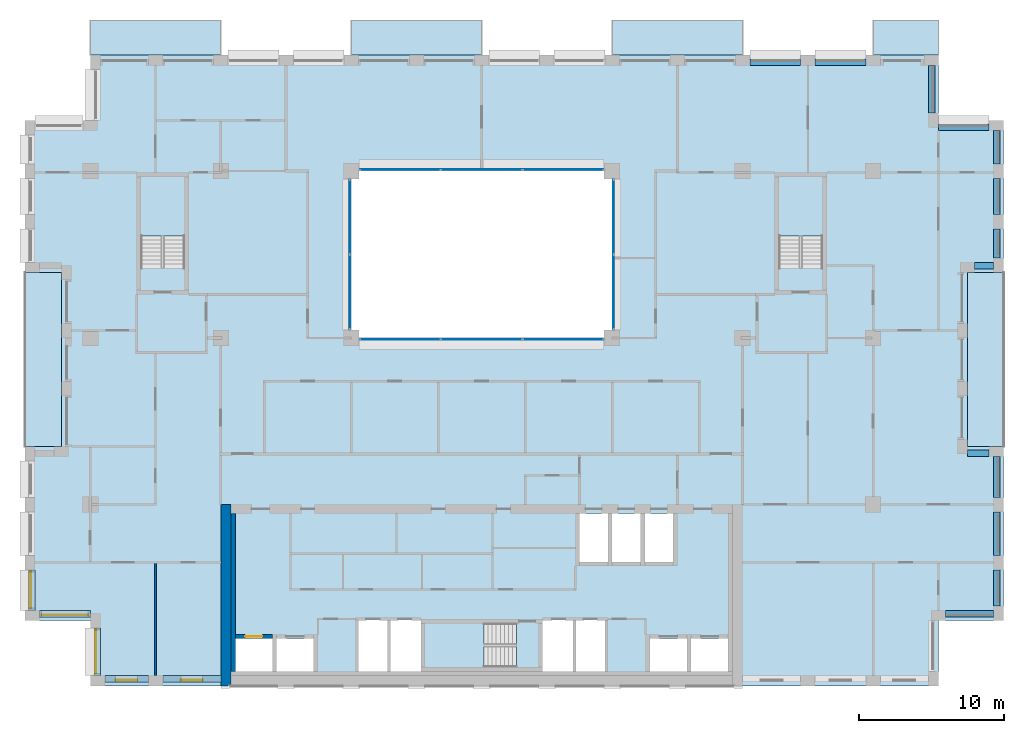
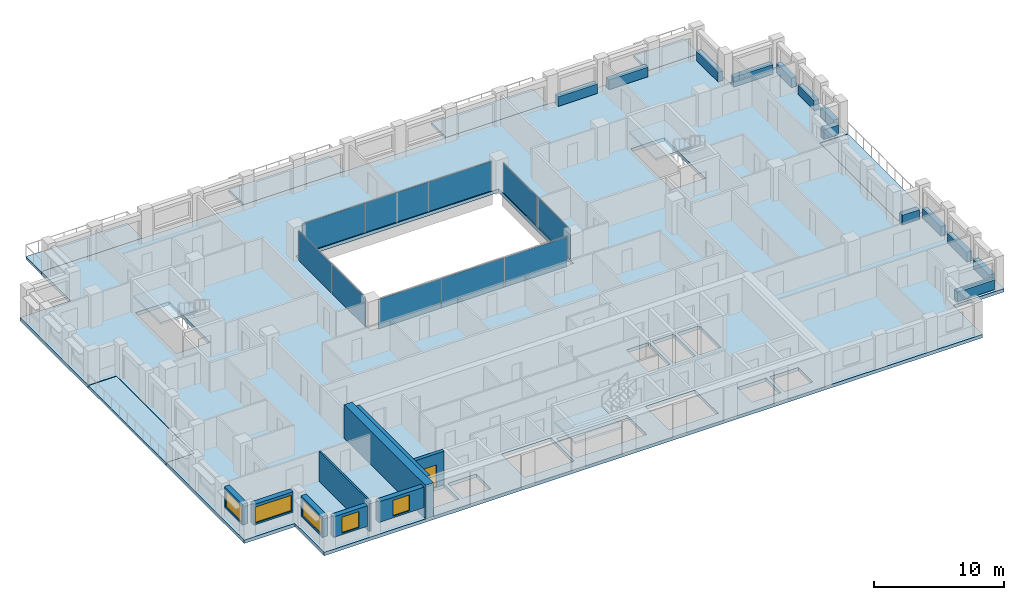
# One storey, part 7 of 16: 13 beams, 10 plates, 10 slabs, 9 walls, 5 windows, 1 door, 6 openings, 7 elements without a shape of their own.
"""IFC4 building model written with IfcOpenShell, lengths in metres."""

from ifc_helpers import new_model, si_unit, direction, frame, frame_2d, origin, origin_2d, place, context, subcontext, project, spatial, polyline, rectangle, outline, extrude, material, layer, layer_set, material_profile, profile_set, type_object, element, fill, aggregate, save


model = new_model("IFC4")

# Units and contexts
model_context = context("Model", 3, precision=1e-05, world=origin(), true_north=direction((0.0, 1.0)))
body_context = subcontext(model_context, "Body", "Model", "MODEL_VIEW")
ifc_project = project(units=[si_unit("LENGTHUNIT", "METRE"), si_unit("AREAUNIT", "SQUARE_METRE"), si_unit("VOLUMEUNIT", "CUBIC_METRE"), si_unit("PLANEANGLEUNIT", "RADIAN"), si_unit("MASSUNIT", "GRAM", prefix="KILO")], contexts=[model_context])

# Site, building, storey
site_placement = place(None, origin())
site = spatial("IfcSite", under=ifc_project, at=site_placement, CompositionType="ELEMENT")
building_placement = place(site_placement, origin())
building = spatial("IfcBuilding", under=site, at=building_placement, Name="Brigalow Station Residences", CompositionType="ELEMENT")
storey_placement = place(building_placement, frame((0.0, 0.0, 160.199951171875)))
storey = spatial("IfcBuildingStorey", under=building, at=storey_placement, Name="L46", CompositionType="ELEMENT", Elevation=160.199951171875)

# Beams
ifc_material_1 = material(Name="Concrete C50", Category="concrete")
ifc_material_profile = material_profile(ifc_material_1, rectangle(XDim=0.449951171875, YDim=0.89990234375, at=origin_2d()), Name="RC450x900")
ifc_profile_set = profile_set([ifc_material_profile], Name="Concrete C50")
beam_type = type_object("IfcBeamType", Name="SPANDREL BEAM 450x900 C50", PredefinedType="SPANDREL", material=ifc_profile_set)
beam_1_placement = place(storey_placement, frame((68.0, 4.97509765625, 0.449951171875), z_axis=(1.0, 0.0, 0.0), x_axis=(0.0, 1.0, 0.0)))
element("IfcBeam", 1, at=beam_1_placement, inside=storey, type_object=beam_type, Name="L46/spandrel/W-L46-8", PredefinedType="SPANDREL", context=body_context, shape_type="SweptSolid", body=[
    extrude(rectangle(XDim=0.449951171875, YDim=0.89990234375, at=origin_2d()), origin(), (0.0, 0.0, 1.0), 3.300048828125),
])
beam_2_placement = place(storey_placement, frame((71.52490234375, 5.5, 0.449951171875), z_axis=(0.0, 1.0, 0.0), x_axis=(-1.0, 0.0, 0.0)))
element("IfcBeam", 2, at=beam_2_placement, inside=storey, type_object=beam_type, Name="L46/spandrel/W-L46-9", PredefinedType="SPANDREL", context=body_context, shape_type="SweptSolid", body=[
    extrude(rectangle(XDim=0.449951171875, YDim=0.89990234375, at=origin_2d()), origin(), (0.0, 0.0, 1.0), 2.5),
])
beam_3_placement = place(storey_placement, frame((71.52490234375, 9.0, 0.449951171875), z_axis=(0.0, 1.0, 0.0), x_axis=(-1.0, 0.0, 0.0)))
element("IfcBeam", 3, at=beam_3_placement, inside=storey, type_object=beam_type, Name="L46/spandrel/W-L46-10", PredefinedType="SPANDREL", context=body_context, shape_type="SweptSolid", body=[
    extrude(rectangle(XDim=0.449951171875, YDim=0.89990234375, at=origin_2d()), origin(), (0.0, 0.0, 1.0), 3.0),
])
beam_4_placement = place(storey_placement, frame((71.52490234375, 13.0, 0.449951171875), z_axis=(0.0, 1.0, 0.0), x_axis=(-1.0, 0.0, 0.0)))
element("IfcBeam", 4, at=beam_4_placement, inside=storey, type_object=beam_type, Name="L46/spandrel/W-L46-11", PredefinedType="SPANDREL", context=body_context, shape_type="SweptSolid", body=[
    extrude(rectangle(XDim=0.449951171875, YDim=0.89990234375, at=origin_2d()), origin(), (0.0, 0.0, 1.0), 2.800048828125),
])
beam_5_placement = place(storey_placement, frame((71.0, 16.02490234375, 0.449951171875), z_axis=(-1.0, 0.0, 0.0), x_axis=(0.0, -1.0, 0.0)))
element("IfcBeam", 5, at=beam_5_placement, inside=storey, type_object=beam_type, Name="L46/spandrel/W-L46-12", PredefinedType="SPANDREL", context=body_context, shape_type="SweptSolid", body=[
    extrude(rectangle(XDim=0.449951171875, YDim=0.89990234375, at=origin_2d()), origin(), (0.0, 0.0, 1.0), 1.5),
])
beam_6_placement = place(storey_placement, frame((70.0, 28.97509765625, 0.449951171875), z_axis=(1.0, 0.0, 0.0), x_axis=(0.0, 1.0, 0.0)))
element("IfcBeam", 6, at=beam_6_placement, inside=storey, type_object=beam_type, Name="L46/spandrel/W-L46-16", PredefinedType="SPANDREL", context=body_context, shape_type="SweptSolid", body=[
    extrude(rectangle(XDim=0.449951171875, YDim=0.89990234375, at=origin_2d()), origin(), (0.0, 0.0, 1.0), 1.300048828125),
])
beam_7_placement = place(storey_placement, frame((71.52490234375, 29.5, 0.449951171875), z_axis=(0.0, 1.0, 0.0), x_axis=(-1.0, 0.0, 0.0)))
element("IfcBeam", 7, at=beam_7_placement, inside=storey, type_object=beam_type, Name="L46/spandrel/W-L46-17", PredefinedType="SPANDREL", context=body_context, shape_type="SweptSolid", body=[
    extrude(rectangle(XDim=0.449951171875, YDim=0.89990234375, at=origin_2d()), origin(), (0.0, 0.0, 1.0), 2.0),
])
beam_8_placement = place(storey_placement, frame((71.52490234375, 32.5, 0.449951171875), z_axis=(0.0, 1.0, 0.0), x_axis=(-1.0, 0.0, 0.0)))
element("IfcBeam", 8, at=beam_8_placement, inside=storey, type_object=beam_type, Name="L46/spandrel/W-L46-18", PredefinedType="SPANDREL", context=body_context, shape_type="SweptSolid", body=[
    extrude(rectangle(XDim=0.449951171875, YDim=0.89990234375, at=origin_2d()), origin(), (0.0, 0.0, 1.0), 2.5),
])
beam_9_placement = place(storey_placement, frame((71.52490234375, 36.0, 0.449951171875), z_axis=(0.0, 1.0, 0.0), x_axis=(-1.0, 0.0, 0.0)))
element("IfcBeam", 9, at=beam_9_placement, inside=storey, type_object=beam_type, Name="L46/spandrel/W-L46-19", PredefinedType="SPANDREL", context=body_context, shape_type="SweptSolid", body=[
    extrude(rectangle(XDim=0.449951171875, YDim=0.89990234375, at=origin_2d()), origin(), (0.0, 0.0, 1.0), 2.300048828125),
])
beam_10_placement = place(storey_placement, frame((71.0, 38.52490234375, 0.449951171875), z_axis=(-1.0, 0.0, 0.0), x_axis=(0.0, -1.0, 0.0)))
element("IfcBeam", 10, at=beam_10_placement, inside=storey, type_object=beam_type, Name="L46/spandrel/W-L46-20", PredefinedType="SPANDREL", context=body_context, shape_type="SweptSolid", body=[
    extrude(rectangle(XDim=0.449951171875, YDim=0.89990234375, at=origin_2d()), origin(), (0.0, 0.0, 1.0), 3.5),
])
beam_11_placement = place(storey_placement, frame((67.02490234375, 39.5, 0.449951171875), z_axis=(0.0, 1.0, 0.0), x_axis=(-1.0, 0.0, 0.0)))
element("IfcBeam", 11, at=beam_11_placement, inside=storey, type_object=beam_type, Name="L46/spandrel/W-L46-21", PredefinedType="SPANDREL", context=body_context, shape_type="SweptSolid", body=[
    extrude(rectangle(XDim=0.449951171875, YDim=0.89990234375, at=origin_2d()), origin(), (0.0, 0.0, 1.0), 3.300048828125),
])
for number, where, z_axis, x_axis, name in (
    (12, (62.5, 43.02490234375, 0.449951171875), (-1.0, 0.0, 0.0), (0.0, -1.0, 0.0), "L46/spandrel/W-L46-23"),
    (13, (58.0, 43.02490234375, 0.449951171875), (-1.0, 0.0, 0.0), (0.0, -1.0, 0.0), "L46/spandrel/W-L46-24"),
):
    element("IfcBeam", number, at=place(storey_placement, frame(where, z_axis=z_axis, x_axis=x_axis)), inside=storey, type_object=beam_type, Name=name, PredefinedType="SPANDREL", context=body_context, shape_type="SweptSolid", body=[
        extrude(rectangle(XDim=0.449951171875, YDim=0.89990234375, at=origin_2d()), origin(), (0.0, 0.0, 1.0), 3.5),
    ])

# Curtain wall, plates
ifc_material_2 = material(Name="Aluminium", Category="aluminium")
ifc_layer_1 = layer(ifc_material_2, 0.14990234375)
ifc_layer_set_1 = layer_set([ifc_layer_1], Name="ATRIUM FIRE-RATED GLAZING CURTAIN WALL")
curtain_wall_type = type_object("IfcCurtainWallType", Name="ATRIUM FIRE-RATED GLAZING CURTAIN WALL", PredefinedType="NOTDEFINED", material=ifc_layer_set_1)
curtain_wall_1_placement = place(storey_placement, origin())
curtain_wall_1 = element("IfcCurtainWall", 14, at=curtain_wall_1_placement, inside=storey, type_object=curtain_wall_type, Name="L46/cw/atrium-S", PredefinedType="NOTDEFINED")
ifc_material_3 = material(Name="Fire-resisting laminated glazing, FRL -/60/-", Category="glass")
ifc_layer_2 = layer(ifc_material_3, 0.031982421875)
ifc_layer_set_2 = layer_set([ifc_layer_2], Name="ATRIUM FIRE-RATED GLAZING PANEL 32")
plate_type = type_object("IfcPlateType", Name="ATRIUM FIRE-RATED GLAZING PANEL 32", PredefinedType="CURTAIN_PANEL", material=ifc_layer_set_2)
plate_1_placement = place(storey_placement, frame((30.381591796875, 23.89990234375, 0.0), z_axis=(0.0, 0.0, 1.0), x_axis=(1.0, 0.0, 0.0)))
plate_1 = element("IfcPlate", 15, at=plate_1_placement, type_object=plate_type, Name="L46/cw/atrium-S/P00-00", PredefinedType="CURTAIN_PANEL", context=body_context, shape_type="SweptSolid", body=[
    extrude(rectangle(XDim=5.543212890625, YDim=0.031982421875, at=origin_2d()), origin(), (0.0, 0.0, 1.0), 2.77001953125),
])
plate_2_placement = place(storey_placement, frame((36.0, 23.89990234375, 0.0), z_axis=(0.0, 0.0, 1.0), x_axis=(1.0, 0.0, 0.0)))
plate_2 = element("IfcPlate", 16, at=plate_2_placement, type_object=plate_type, Name="L46/cw/atrium-S/P01-00", PredefinedType="CURTAIN_PANEL", context=body_context, shape_type="SweptSolid", body=[
    extrude(rectangle(XDim=5.5732421875, YDim=0.031982421875, at=origin_2d()), origin(), (0.0, 0.0, 1.0), 2.77001953125),
])
plate_3_placement = place(storey_placement, frame((41.618408203125, 23.89990234375, 0.0), z_axis=(0.0, 0.0, 1.0), x_axis=(1.0, 0.0, 0.0)))
plate_3 = element("IfcPlate", 17, at=plate_3_placement, type_object=plate_type, Name="L46/cw/atrium-S/P02-00", PredefinedType="CURTAIN_PANEL", context=body_context, shape_type="SweptSolid", body=[
    extrude(rectangle(XDim=5.543212890625, YDim=0.031982421875, at=origin_2d()), origin(), (0.0, 0.0, 1.0), 2.77001953125),
])
aggregate(curtain_wall_1, [plate_1, plate_2, plate_3])

curtain_wall_2_placement = place(storey_placement, origin())
curtain_wall_2 = element("IfcCurtainWall", 18, at=curtain_wall_2_placement, inside=storey, type_object=curtain_wall_type, Name="L46/cw/atrium-E", PredefinedType="NOTDEFINED")
plate_4_placement = place(storey_placement, frame((45.10009765625, 27.1650390625, 0.0), z_axis=(0.0, 0.0, 1.0), x_axis=(0.0, 1.0, 0.0)))
plate_4 = element("IfcPlate", 19, at=plate_4_placement, type_object=plate_type, Name="L46/cw/atrium-E/P00-00", PredefinedType="CURTAIN_PANEL", context=body_context, shape_type="SweptSolid", body=[
    extrude(rectangle(XDim=5.110107421875, YDim=0.031982421875, at=origin_2d()), origin(), (0.0, 0.0, 1.0), 2.77001953125),
])
plate_5_placement = place(storey_placement, frame((45.10009765625, 32.3349609375, 0.0), z_axis=(0.0, 0.0, 1.0), x_axis=(0.0, 1.0, 0.0)))
plate_5 = element("IfcPlate", 20, at=plate_5_placement, type_object=plate_type, Name="L46/cw/atrium-E/P01-00", PredefinedType="CURTAIN_PANEL", context=body_context, shape_type="SweptSolid", body=[
    extrude(rectangle(XDim=5.110107421875, YDim=0.031982421875, at=origin_2d()), origin(), (0.0, 0.0, 1.0), 2.77001953125),
])
aggregate(curtain_wall_2, [plate_4, plate_5])

curtain_wall_3_placement = place(storey_placement, origin())
curtain_wall_3 = element("IfcCurtainWall", 21, at=curtain_wall_3_placement, inside=storey, type_object=curtain_wall_type, Name="L46/cw/atrium-N", PredefinedType="NOTDEFINED")
plate_6_placement = place(storey_placement, frame((41.618408203125, 35.60009765625, 0.0), z_axis=(0.0, 0.0, 1.0), x_axis=(-1.0, 0.0, 0.0)))
plate_6 = element("IfcPlate", 22, at=plate_6_placement, type_object=plate_type, Name="L46/cw/atrium-N/P00-00", PredefinedType="CURTAIN_PANEL", context=body_context, shape_type="SweptSolid", body=[
    extrude(rectangle(XDim=5.543212890625, YDim=0.031982421875, at=origin_2d()), origin(), (0.0, 0.0, 1.0), 2.77001953125),
])
plate_7_placement = place(storey_placement, frame((36.0, 35.60009765625, 0.0), z_axis=(0.0, 0.0, 1.0), x_axis=(-1.0, 0.0, 0.0)))
plate_7 = element("IfcPlate", 23, at=plate_7_placement, type_object=plate_type, Name="L46/cw/atrium-N/P01-00", PredefinedType="CURTAIN_PANEL", context=body_context, shape_type="SweptSolid", body=[
    extrude(rectangle(XDim=5.5732421875, YDim=0.031982421875, at=origin_2d()), origin(), (0.0, 0.0, 1.0), 2.77001953125),
])
plate_8_placement = place(storey_placement, frame((30.381591796875, 35.60009765625, 0.0), z_axis=(0.0, 0.0, 1.0), x_axis=(-1.0, 0.0, 0.0)))
plate_8 = element("IfcPlate", 24, at=plate_8_placement, type_object=plate_type, Name="L46/cw/atrium-N/P02-00", PredefinedType="CURTAIN_PANEL", context=body_context, shape_type="SweptSolid", body=[
    extrude(rectangle(XDim=5.543212890625, YDim=0.031982421875, at=origin_2d()), origin(), (0.0, 0.0, 1.0), 2.77001953125),
])
aggregate(curtain_wall_3, [plate_6, plate_7, plate_8])

curtain_wall_4_placement = place(storey_placement, origin())
curtain_wall_4 = element("IfcCurtainWall", 25, at=curtain_wall_4_placement, inside=storey, type_object=curtain_wall_type, Name="L46/cw/atrium-W", PredefinedType="NOTDEFINED")
plate_9_placement = place(storey_placement, frame((26.89990234375, 32.3349609375, 0.0), z_axis=(0.0, 0.0, 1.0), x_axis=(0.0, -1.0, 0.0)))
plate_9 = element("IfcPlate", 26, at=plate_9_placement, type_object=plate_type, Name="L46/cw/atrium-W/P00-00", PredefinedType="CURTAIN_PANEL", context=body_context, shape_type="SweptSolid", body=[
    extrude(rectangle(XDim=5.110107421875, YDim=0.031982421875, at=origin_2d()), origin(), (0.0, 0.0, 1.0), 2.77001953125),
])
plate_10_placement = place(storey_placement, frame((26.89990234375, 27.1650390625, 0.0), z_axis=(0.0, 0.0, 1.0), x_axis=(0.0, -1.0, 0.0)))
plate_10 = element("IfcPlate", 27, at=plate_10_placement, type_object=plate_type, Name="L46/cw/atrium-W/P01-00", PredefinedType="CURTAIN_PANEL", context=body_context, shape_type="SweptSolid", body=[
    extrude(rectangle(XDim=5.110107421875, YDim=0.031982421875, at=origin_2d()), origin(), (0.0, 0.0, 1.0), 2.77001953125),
])
aggregate(curtain_wall_4, [plate_9, plate_10])

# Slabs
ifc_material_4 = material(Name="Concrete C50 precast", Category="concrete")
ifc_layer_3 = layer(ifc_material_4, 0.25)
ifc_layer_set_3 = layer_set([ifc_layer_3], Name="BALCONY SLAB 250")
slab_type_1 = type_object("IfcSlabType", Name="BALCONY SLAB 250", PredefinedType="USERDEFINED", material=ifc_layer_set_3)
slab_1_placement = place(storey_placement, frame((0.0, 0.0, -0.2900390625)))
element("IfcSlab", 28, at=slab_1_placement, inside=storey, type_object=slab_type_1, Name="L46/balcony/1", ObjectType="BALCONY", PredefinedType="USERDEFINED", context=body_context, shape_type="SweptSolid", body=[
    extrude(outline(polyline([(69.5, 16.5), (72.0, 16.5), (72.0, 28.5), (69.5, 28.5), (69.5, 16.5)])), origin(), (0.0, 0.0, 1.0), 0.25),
])
slab_2_placement = place(storey_placement, frame((0.0, 0.0, -0.2900390625)))
element("IfcSlab", 29, at=slab_2_placement, inside=storey, type_object=slab_type_1, Name="L46/balcony/2", ObjectType="BALCONY", PredefinedType="USERDEFINED", context=body_context, shape_type="SweptSolid", body=[
    extrude(outline(polyline([(67.5, 43.5), (67.5, 45.89990234375), (63.0, 45.89990234375), (63.0, 43.5), (67.5, 43.5)])), origin(), (0.0, 0.0, 1.0), 0.25),
])
slab_3_placement = place(storey_placement, frame((0.0, 0.0, -0.2900390625)))
element("IfcSlab", 30, at=slab_3_placement, inside=storey, type_object=slab_type_1, Name="L46/balcony/3", ObjectType="BALCONY", PredefinedType="USERDEFINED", context=body_context, shape_type="SweptSolid", body=[
    extrude(outline(polyline([(54.0, 43.5), (54.0, 45.89990234375), (45.0, 45.89990234375), (45.0, 43.5), (54.0, 43.5)])), origin(), (0.0, 0.0, 1.0), 0.25),
])
slab_4_placement = place(storey_placement, frame((0.0, 0.0, -0.2900390625)))
element("IfcSlab", 31, at=slab_4_placement, inside=storey, type_object=slab_type_1, Name="L46/balcony/4", ObjectType="BALCONY", PredefinedType="USERDEFINED", context=body_context, shape_type="SweptSolid", body=[
    extrude(outline(polyline([(36.0, 43.5), (36.0, 45.89990234375), (27.0, 45.89990234375), (27.0, 43.5), (36.0, 43.5)])), origin(), (0.0, 0.0, 1.0), 0.25),
])
slab_5_placement = place(storey_placement, frame((0.0, 0.0, -0.2900390625)))
element("IfcSlab", 32, at=slab_5_placement, inside=storey, type_object=slab_type_1, Name="L46/balcony/5", ObjectType="BALCONY", PredefinedType="USERDEFINED", context=body_context, shape_type="SweptSolid", body=[
    extrude(outline(polyline([(18.0, 43.5), (18.0, 45.89990234375), (9.0, 45.89990234375), (9.0, 43.5), (18.0, 43.5)])), origin(), (0.0, 0.0, 1.0), 0.25),
])
slab_6_placement = place(storey_placement, frame((0.0, 0.0, -0.2900390625)))
element("IfcSlab", 33, at=slab_6_placement, inside=storey, type_object=slab_type_1, Name="L46/balcony/6", ObjectType="BALCONY", PredefinedType="USERDEFINED", context=body_context, shape_type="SweptSolid", body=[
    extrude(outline(polyline([(7.0, 28.5), (4.5, 28.5), (4.5, 16.5), (7.0, 16.5), (7.0, 28.5)])), origin(), (0.0, 0.0, 1.0), 0.25),
])
ifc_material_5 = material(Name="Concrete C50", Category="concrete")
ifc_layer_4 = layer(ifc_material_5, 0.320068359375)
ifc_layer_set_4 = layer_set([ifc_layer_4], Name="POST-TENSIONED FLAT PLATE 320 C50")
slab_type_2 = type_object("IfcSlabType", Name="POST-TENSIONED FLAT PLATE 320 C50", PredefinedType="FLOOR", material=ifc_layer_set_4)
slab_7_placement = place(storey_placement, frame((0.0, 0.0, -0.320068359375)))
element("IfcSlab", 34, at=slab_7_placement, inside=storey, type_object=slab_type_2, Name="FLOOR SLAB L46", PredefinedType="FLOOR", context=body_context, shape_type="SweptSolid", body=[
    extrude(outline(polyline([(9.0, 0.0), (67.5, 0.0), (67.5, 4.5), (72.0, 4.5), (72.0, 16.5), (69.5, 16.5), (69.5, 28.5), (72.0, 28.5), (72.0, 39.0), (67.5, 39.0), (67.5, 43.5), (9.0, 43.5), (9.0, 39.0), (4.5, 39.0), (4.5, 28.5), (7.0, 28.5), (7.0, 16.5), (4.5, 16.5), (4.5, 4.5), (9.0, 4.5), (9.0, 0.0)]), holes=[polyline([(12.5048828125, 35.094970703125), (15.4951171875, 35.094970703125), (15.4951171875, 28.804931640625), (12.5048828125, 28.804931640625), (12.5048828125, 35.094970703125)]), polyline([(19.0, 1.0), (19.0, 3.25), (21.550048828125, 3.25), (21.550048828125, 1.0), (19.0, 1.0)]), polyline([(21.85009765625, 3.25), (24.39990234375, 3.25), (24.39990234375, 1.0), (21.85009765625, 1.0), (21.85009765625, 3.25)]), polyline([(27.0, 35.5), (45.0, 35.5), (45.0, 24.0), (27.0, 24.0), (27.0, 35.5)]), polyline([(29.60009765625, 4.60009765625), (31.800048828125, 4.60009765625), (31.800048828125, 1.0), (29.60009765625, 1.0), (27.39990234375, 1.0), (27.39990234375, 4.60009765625), (29.60009765625, 4.60009765625)]), polyline([(32.10498046875, 4.294921875), (38.39501953125, 4.294921875), (38.39501953125, 1.304931640625), (32.10498046875, 1.304931640625), (32.10498046875, 4.294921875)]), polyline([(40.199951171875, 4.60009765625), (42.39990234375, 4.60009765625), (44.60009765625, 4.60009765625), (44.60009765625, 1.0), (42.39990234375, 1.0), (40.199951171875, 1.0), (40.199951171875, 4.60009765625)]), polyline([(42.75, 11.89990234375), (44.699951171875, 11.89990234375), (44.699951171875, 8.550048828125), (42.75, 8.550048828125), (42.75, 11.89990234375)]), polyline([(45.0, 11.89990234375), (46.949951171875, 11.89990234375), (46.949951171875, 8.550048828125), (45.0, 8.550048828125), (45.0, 11.89990234375)]), polyline([(47.25, 11.89990234375), (49.199951171875, 11.89990234375), (49.199951171875, 8.550048828125), (47.25, 8.550048828125), (47.25, 11.89990234375)]), polyline([(47.60009765625, 3.25), (50.14990234375, 3.25), (50.14990234375, 1.0), (47.60009765625, 1.0), (47.60009765625, 3.25)]), polyline([(50.449951171875, 3.25), (53.0, 3.25), (53.0, 1.0), (50.449951171875, 1.0), (50.449951171875, 3.25)]), polyline([(56.5048828125, 35.094970703125), (59.4951171875, 35.094970703125), (59.4951171875, 28.804931640625), (56.5048828125, 28.804931640625), (56.5048828125, 35.094970703125)])]), origin(), (0.0, 0.0, 1.0), 0.320068359375),
])

# Stair, slab
ifc_material_6 = material(Name="Concrete C50", Category="concrete")
stair_type = type_object("IfcStairType", Name="EXIT STAIR 1400 2 FLIGHT", PredefinedType="HALF_TURN_STAIR", material=ifc_material_6)
stair_1_placement = place(storey_placement, origin())
stair_1 = element("IfcStair", 35, at=stair_1_placement, inside=storey, type_object=stair_type, Name="EXIT STAIR S2 L46", PredefinedType="HALF_TURN_STAIR")
ifc_material_7 = material(Name="Concrete C50", Category="concrete")
ifc_layer_5 = layer(ifc_material_7, 0.199951171875)
ifc_layer_set_5 = layer_set([ifc_layer_5], Name="STAIR LANDING 200")
slab_type_3 = type_object("IfcSlabType", Name="STAIR LANDING 200", PredefinedType="LANDING", material=ifc_layer_set_5)
slab_8_placement = place(storey_placement, frame((0.0, 0.0, 1.375)))
slab_8 = element("IfcSlab", 36, at=slab_8_placement, type_object=slab_type_3, Name="ST-2 landing 1", PredefinedType="LANDING", context=body_context, shape_type="SweptSolid", body=[
    extrude(outline(polyline([(32.0, 1.199951171875), (36.159912109375, 1.199951171875), (36.159912109375, 4.39990234375), (32.0, 4.39990234375), (32.0, 1.199951171875)])), origin(), (0.0, 0.0, 1.0), 0.199951171875),
])
aggregate(stair_1, [slab_8])

stair_2_placement = place(storey_placement, origin())
stair_2 = element("IfcStair", 37, at=stair_2_placement, inside=storey, type_object=stair_type, Name="EXIT STAIR S1 L46", PredefinedType="HALF_TURN_STAIR")
slab_9_placement = place(storey_placement, frame((0.0, 0.0, 1.375)))
slab_9 = element("IfcSlab", 38, at=slab_9_placement, type_object=slab_type_3, Name="ST-1 landing 1", PredefinedType="LANDING", context=body_context, shape_type="SweptSolid", body=[
    extrude(outline(polyline([(12.39990234375, 31.0400390625), (15.60009765625, 31.0400390625), (15.60009765625, 35.199951171875), (12.39990234375, 35.199951171875), (12.39990234375, 31.0400390625)])), origin(), (0.0, 0.0, 1.0), 0.199951171875),
])
aggregate(stair_2, [slab_9])

stair_3_placement = place(storey_placement, origin())
stair_3 = element("IfcStair", 39, at=stair_3_placement, inside=storey, type_object=stair_type, Name="EXIT STAIR S3 L46", PredefinedType="HALF_TURN_STAIR")
slab_10_placement = place(storey_placement, frame((0.0, 0.0, 1.375)))
slab_10 = element("IfcSlab", 40, at=slab_10_placement, type_object=slab_type_3, Name="ST-3 landing 1", PredefinedType="LANDING", context=body_context, shape_type="SweptSolid", body=[
    extrude(outline(polyline([(56.39990234375, 31.0400390625), (59.60009765625, 31.0400390625), (59.60009765625, 35.199951171875), (56.39990234375, 35.199951171875), (56.39990234375, 31.0400390625)])), origin(), (0.0, 0.0, 1.0), 0.199951171875),
])
aggregate(stair_3, [slab_10])

# Wall, opening, window
ifc_material_8 = material(Name="Clay brick masonry", Category="masonry")
ifc_layer_6 = layer(ifc_material_8, 0.449951171875)
ifc_layer_set_6 = layer_set([ifc_layer_6], Name="BRICK INFILL WALL 450")
wall_type_1 = type_object("IfcWallType", Name="BRICK INFILL WALL 450", PredefinedType="SOLIDWALL", material=ifc_layer_set_6)
wall_1_placement = place(storey_placement, frame((10.0, 0.47509765625, 0.900146484375), z_axis=(0.0, 0.0, 1.0), x_axis=(1.0, 0.0, 0.0)))
wall_1 = element("IfcWall", 41, at=wall_1_placement, inside=storey, type_object=wall_type_1, Name="L46/ewall/W-L46-1", PredefinedType="SOLIDWALL", context=body_context, shape_type="SweptSolid", body=[
    extrude(rectangle(XDim=3.0, YDim=0.449951171875, at=frame_2d((1.5, 0.0))), origin(), (0.0, 0.0, 1.0), 1.929931640625),
])
opening_1_placement = place(wall_1_placement, frame((0.75, 0.0, 0.14990234375)))
opening_1 = element("IfcOpeningElement", 42, at=opening_1_placement, cuts=wall_1, Name="Opening WT-1", PredefinedType="OPENING", context=body_context, shape_type="SweptSolid", body=[
    extrude(rectangle(XDim=1.5, YDim=1.5, at=frame_2d((0.75, 0.75))), frame((0.0, 0.23486328125, 0.0), z_axis=(0.0, -1.0, 0.0), x_axis=(1.0, 0.0, 0.0)), (0.0, 0.0, 1.0), 0.469970703125),
])
ifc_material_9 = material(Name="Anodised aluminium frame with double glazing", Category="aluminium")
window_type_1 = type_object("IfcWindowType", Name="WINDOW 1500x1500", PartitioningType="SINGLE_PANEL", PredefinedType="WINDOW", material=ifc_material_9)
window_1_placement = place(opening_1_placement, origin())
window_1 = element("IfcWindow", 43, at=window_1_placement, inside=storey, type_object=window_type_1, Name="L46/window/W-L46-1", OverallHeight=1.5, OverallWidth=1.5, PartitioningType="SINGLE_PANEL", PredefinedType="WINDOW", context=body_context, shape_type="SweptSolid", body=[
    extrude(rectangle(XDim=1.5, YDim=1.5, at=frame_2d((0.75, 0.75))), frame((0.0, -0.06494140625, 0.0), z_axis=(0.0, -1.0, 0.0), x_axis=(1.0, 0.0, 0.0)), (0.0, 0.0, 1.0), 0.06005859375),
])
fill(opening_1, window_1)

wall_2_placement = place(storey_placement, frame((14.0, 0.47509765625, 0.900146484375), z_axis=(0.0, 0.0, 1.0), x_axis=(1.0, 0.0, 0.0)))
wall_2 = element("IfcWall", 44, at=wall_2_placement, inside=storey, type_object=wall_type_1, Name="L46/ewall/W-L46-2", PredefinedType="SOLIDWALL", context=body_context, shape_type="SweptSolid", body=[
    extrude(rectangle(XDim=4.0, YDim=0.449951171875, at=frame_2d((2.0, 0.0))), origin(), (0.0, 0.0, 1.0), 1.929931640625),
])
opening_2_placement = place(wall_2_placement, frame((1.25, 0.0, 0.14990234375)))
opening_2 = element("IfcOpeningElement", 45, at=opening_2_placement, cuts=wall_2, Name="Opening WT-1", PredefinedType="OPENING", context=body_context, shape_type="SweptSolid", body=[
    extrude(rectangle(XDim=1.5, YDim=1.5, at=frame_2d((0.75, 0.75))), frame((0.0, 0.23486328125, 0.0), z_axis=(0.0, -1.0, 0.0), x_axis=(1.0, 0.0, 0.0)), (0.0, 0.0, 1.0), 0.469970703125),
])
window_2_placement = place(opening_2_placement, origin())
window_2 = element("IfcWindow", 46, at=window_2_placement, inside=storey, type_object=window_type_1, Name="L46/window/W-L46-2", OverallHeight=1.5, OverallWidth=1.5, PartitioningType="SINGLE_PANEL", PredefinedType="WINDOW", context=body_context, shape_type="SweptSolid", body=[
    extrude(rectangle(XDim=1.5, YDim=1.5, at=frame_2d((0.75, 0.75))), frame((0.0, -0.06494140625, 0.0), z_axis=(0.0, -1.0, 0.0), x_axis=(1.0, 0.0, 0.0)), (0.0, 0.0, 1.0), 0.06005859375),
])
fill(opening_2, window_2)

wall_3_placement = place(storey_placement, frame((4.97509765625, 8.0, 0.900146484375), z_axis=(0.0, 0.0, 1.0), x_axis=(0.0, -1.0, 0.0)))
wall_3 = element("IfcWall", 47, at=wall_3_placement, inside=storey, type_object=wall_type_1, Name="L46/ewall/W-L46-47", PredefinedType="SOLIDWALL", context=body_context, shape_type="SweptSolid", body=[
    extrude(rectangle(XDim=2.800048828125, YDim=0.449951171875, at=frame_2d((1.39990234375, 0.0))), origin(), (0.0, 0.0, 1.0), 1.929931640625),
])
opening_3_placement = place(wall_3_placement, frame((0.14990234375, 0.0, 0.14990234375)))
opening_3 = element("IfcOpeningElement", 48, at=opening_3_placement, cuts=wall_3, Name="Opening WT-5", PredefinedType="OPENING", context=body_context, shape_type="SweptSolid", body=[
    extrude(rectangle(XDim=2.5, YDim=1.5, at=frame_2d((1.25, 0.75))), frame((0.0, 0.23486328125, 0.0), z_axis=(0.0, -1.0, 0.0), x_axis=(1.0, 0.0, 0.0)), (0.0, 0.0, 1.0), 0.469970703125),
])
ifc_material_10 = material(Name="Anodised aluminium frame with double glazing", Category="aluminium")
window_type_2 = type_object("IfcWindowType", Name="WINDOW 2500x1500", PartitioningType="SINGLE_PANEL", PredefinedType="WINDOW", material=ifc_material_10)
window_3_placement = place(opening_3_placement, origin())
window_3 = element("IfcWindow", 49, at=window_3_placement, inside=storey, type_object=window_type_2, Name="L46/window/W-L46-47", OverallHeight=1.5, OverallWidth=2.5, PartitioningType="SINGLE_PANEL", PredefinedType="WINDOW", context=body_context, shape_type="SweptSolid", body=[
    extrude(rectangle(XDim=2.5, YDim=1.5, at=frame_2d((1.25, 0.75))), frame((0.0, -0.06494140625, 0.0), z_axis=(0.0, -1.0, 0.0), x_axis=(1.0, 0.0, 0.0)), (0.0, 0.0, 1.0), 0.06005859375),
])
fill(opening_3, window_3)

wall_4_placement = place(storey_placement, frame((5.5, 4.97509765625, 0.900146484375), z_axis=(0.0, 0.0, 1.0), x_axis=(1.0, 0.0, 0.0)))
wall_4 = element("IfcWall", 50, at=wall_4_placement, inside=storey, type_object=wall_type_1, Name="L46/ewall/W-L46-48", PredefinedType="SOLIDWALL", context=body_context, shape_type="SweptSolid", body=[
    extrude(rectangle(XDim=3.5, YDim=0.449951171875, at=frame_2d((1.75, 0.0))), origin(), (0.0, 0.0, 1.0), 1.929931640625),
])
opening_4_placement = place(wall_4_placement, frame((0.14990234375, 0.0, 0.14990234375)))
opening_4 = element("IfcOpeningElement", 51, at=opening_4_placement, cuts=wall_4, Name="Opening WT-9", PredefinedType="OPENING", context=body_context, shape_type="SweptSolid", body=[
    extrude(rectangle(XDim=3.199951171875, YDim=1.5, at=frame_2d((1.60009765625, 0.75))), frame((0.0, 0.23486328125, 0.0), z_axis=(0.0, -1.0, 0.0), x_axis=(1.0, 0.0, 0.0)), (0.0, 0.0, 1.0), 0.469970703125),
])
ifc_material_11 = material(Name="Anodised aluminium frame with double glazing", Category="aluminium")
window_type_3 = type_object("IfcWindowType", Name="WINDOW 3200x1500", PartitioningType="SINGLE_PANEL", PredefinedType="WINDOW", material=ifc_material_11)
window_4_placement = place(opening_4_placement, origin())
window_4 = element("IfcWindow", 52, at=window_4_placement, inside=storey, type_object=window_type_3, Name="L46/window/W-L46-48", OverallHeight=1.5, OverallWidth=3.199951171875, PartitioningType="SINGLE_PANEL", PredefinedType="WINDOW", context=body_context, shape_type="SweptSolid", body=[
    extrude(rectangle(XDim=3.199951171875, YDim=1.5, at=frame_2d((1.60009765625, 0.75))), frame((0.0, -0.06494140625, 0.0), z_axis=(0.0, -1.0, 0.0), x_axis=(1.0, 0.0, 0.0)), (0.0, 0.0, 1.0), 0.06005859375),
])
fill(opening_4, window_4)

wall_5_placement = place(storey_placement, frame((9.47509765625, 4.0, 0.900146484375), z_axis=(0.0, 0.0, 1.0), x_axis=(0.0, -1.0, 0.0)))
wall_5 = element("IfcWall", 53, at=wall_5_placement, inside=storey, type_object=wall_type_1, Name="L46/ewall/W-L46-49", PredefinedType="SOLIDWALL", context=body_context, shape_type="SweptSolid", body=[
    extrude(rectangle(XDim=3.300048828125, YDim=0.449951171875, at=frame_2d((1.64990234375, 0.0))), origin(), (0.0, 0.0, 1.0), 1.929931640625),
])
opening_5_placement = place(wall_5_placement, frame((0.14990234375, 0.0, 0.14990234375)))
opening_5 = element("IfcOpeningElement", 54, at=opening_5_placement, cuts=wall_5, Name="Opening WT-2", PredefinedType="OPENING", context=body_context, shape_type="SweptSolid", body=[
    extrude(rectangle(XDim=3.0, YDim=1.5, at=frame_2d((1.5, 0.75))), frame((0.0, 0.23486328125, 0.0), z_axis=(0.0, -1.0, 0.0), x_axis=(1.0, 0.0, 0.0)), (0.0, 0.0, 1.0), 0.469970703125),
])
ifc_material_12 = material(Name="Anodised aluminium frame with double glazing", Category="aluminium")
window_type_4 = type_object("IfcWindowType", Name="WINDOW 3000x1500", PartitioningType="SINGLE_PANEL", PredefinedType="WINDOW", material=ifc_material_12)
window_5_placement = place(opening_5_placement, origin())
window_5 = element("IfcWindow", 55, at=window_5_placement, inside=storey, type_object=window_type_4, Name="L46/window/W-L46-49", OverallHeight=1.5, OverallWidth=3.0, PartitioningType="SINGLE_PANEL", PredefinedType="WINDOW", context=body_context, shape_type="SweptSolid", body=[
    extrude(rectangle(XDim=3.0, YDim=1.5, at=frame_2d((1.5, 0.75))), frame((0.0, -0.06494140625, 0.0), z_axis=(0.0, -1.0, 0.0), x_axis=(1.0, 0.0, 0.0)), (0.0, 0.0, 1.0), 0.06005859375),
])
fill(opening_5, window_5)

# Wall
ifc_material_13 = material(Name="Concrete C65", Category="concrete")
ifc_layer_7 = layer(ifc_material_13, 0.300048828125)
ifc_layer_set_7 = layer_set([ifc_layer_7], Name="CORE SHEAR WALL 300 C65")
wall_type_2 = type_object("IfcWallType", Name="CORE SHEAR WALL 300 C65", PredefinedType="SHEAR", material=ifc_layer_set_7)
wall_6_placement = place(storey_placement, frame((18.85009765625, 1.0, 0.0), z_axis=(0.0, 0.0, 1.0), x_axis=(0.0, 1.0, 0.0)))
element("IfcWall", 56, at=wall_6_placement, inside=storey, type_object=wall_type_2, Name="CORE WALL LIN-W L46", PredefinedType="SHEAR", context=body_context, shape_type="SweptSolid", body=[
    extrude(rectangle(XDim=10.89990234375, YDim=0.300048828125, at=frame_2d((5.449951171875, 0.0))), origin(), (0.0, 0.0, 1.0), 3.150146484375),
])

# Wall, opening, door
wall_7_placement = place(storey_placement, frame((19.0, 3.39990234375, 0.0), z_axis=(0.0, 0.0, 1.0), x_axis=(1.0, 0.0, 0.0)))
wall_7 = element("IfcWall", 57, at=wall_7_placement, inside=storey, type_object=wall_type_2, Name="CORE WALL SH-C1-N L46", PredefinedType="SHEAR", context=body_context, shape_type="SweptSolid", body=[
    extrude(rectangle(XDim=2.550048828125, YDim=0.300048828125, at=frame_2d((1.27490234375, 0.0))), origin(), (0.0, 0.0, 1.0), 3.150146484375),
])
opening_6_placement = place(wall_7_placement, frame((0.675048828125, 0.0, 0.0)))
opening_6 = element("IfcOpeningElement", 58, at=opening_6_placement, cuts=wall_7, Name="Opening LD-LB1", PredefinedType="OPENING", context=body_context, shape_type="SweptSolid", body=[
    extrude(rectangle(XDim=1.199951171875, YDim=2.10009765625, at=frame_2d((0.60009765625, 1.050048828125))), frame((0.0, 0.16015625, 0.0), z_axis=(0.0, -1.0, 0.0), x_axis=(1.0, 0.0, 0.0)), (0.0, 0.0, 1.0), 0.320068359375),
])
ifc_material_14 = material(Name="Stainless steel sliding door leaves", Category="steel")
door_type = type_object("IfcDoorType", Name="LIFT LANDING DOOR 1200 x 2100", OperationType="DOUBLE_DOOR_SLIDING", PredefinedType="DOOR", material=ifc_material_14)
door_placement = place(opening_6_placement, origin())
door = element("IfcDoor", 59, at=door_placement, inside=storey, type_object=door_type, Name="LANDING DOOR LB1", OperationType="DOUBLE_DOOR_SLIDING", OverallHeight=2.10009765625, OverallWidth=1.199951171875, PredefinedType="DOOR", context=body_context, shape_type="SweptSolid", body=[
    extrude(rectangle(XDim=1.199951171875, YDim=2.10009765625, at=frame_2d((0.60009765625, 1.050048828125))), frame((0.0, 0.02490234375, 0.0), z_axis=(0.0, -1.0, 0.0), x_axis=(1.0, 0.0, 0.0)), (0.0, 0.0, 1.0), 0.050048828125),
])
fill(opening_6, door)

# Walls
ifc_material_15 = material(Name="Concrete C65", Category="concrete")
ifc_layer_8 = layer(ifc_material_15, 0.699951171875)
ifc_layer_set_8 = layer_set([ifc_layer_8], Name="CORE SHEAR WALL 700 C65")
wall_type_3 = type_object("IfcWallType", Name="CORE SHEAR WALL 700 C65", PredefinedType="SHEAR", material=ifc_layer_set_8)
wall_8_placement = place(storey_placement, frame((18.35009765625, 0.0, 0.0), z_axis=(0.0, 0.0, 1.0), x_axis=(0.0, 1.0, 0.0)))
element("IfcWall", 60, at=wall_8_placement, inside=storey, type_object=wall_type_3, Name="CORE WALL OUT-W L46", PredefinedType="SHEAR", context=body_context, shape_type="SweptSolid", body=[
    extrude(rectangle(XDim=12.5, YDim=0.699951171875, at=frame_2d((6.25, 0.0))), origin(), (0.0, 0.0, 1.0), 3.150146484375),
])
ifc_material_16 = material(Name="Plasterboard on steel stud partition", Category="steel")
ifc_layer_9 = layer(ifc_material_16, 0.14990234375)
ifc_layer_set_9 = layer_set([ifc_layer_9], Name="FLAT PARTITION 150")
wall_type_4 = type_object("IfcWallType", Name="FLAT PARTITION 150", PredefinedType="PARTITIONING", material=ifc_layer_set_9)
wall_9_placement = place(storey_placement, frame((13.5, 0.699951171875, 0.0), z_axis=(0.0, 0.0, 1.0), x_axis=(0.0, 1.0, 0.0)))
element("IfcWall", 61, at=wall_9_placement, inside=storey, type_object=wall_type_4, Name="PW-3C36", PredefinedType="PARTITIONING", context=body_context, shape_type="SweptSolid", body=[
    extrude(rectangle(XDim=7.72509765625, YDim=0.14990234375, at=frame_2d((3.862548828125, 0.0))), origin(), (0.0, 0.0, 1.0), 2.830078125),
])

save(model, "model.ifc")
